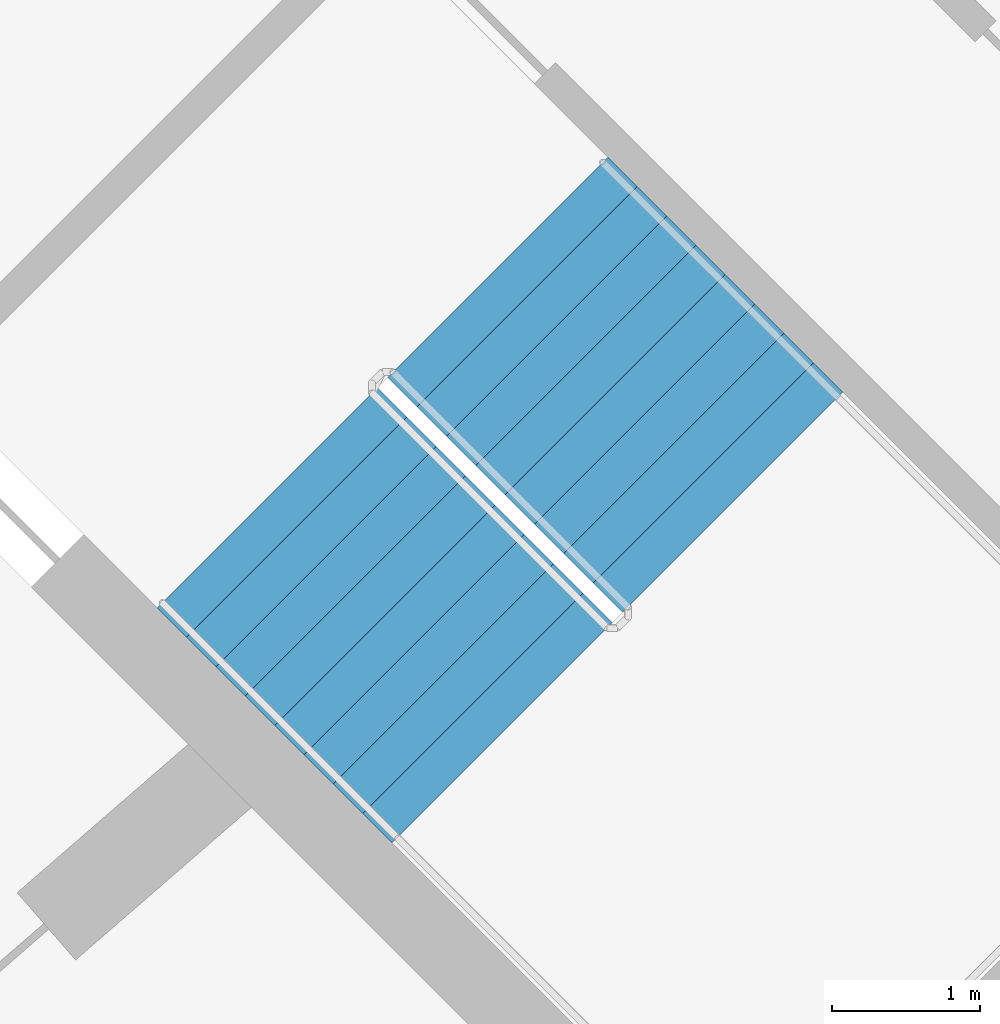
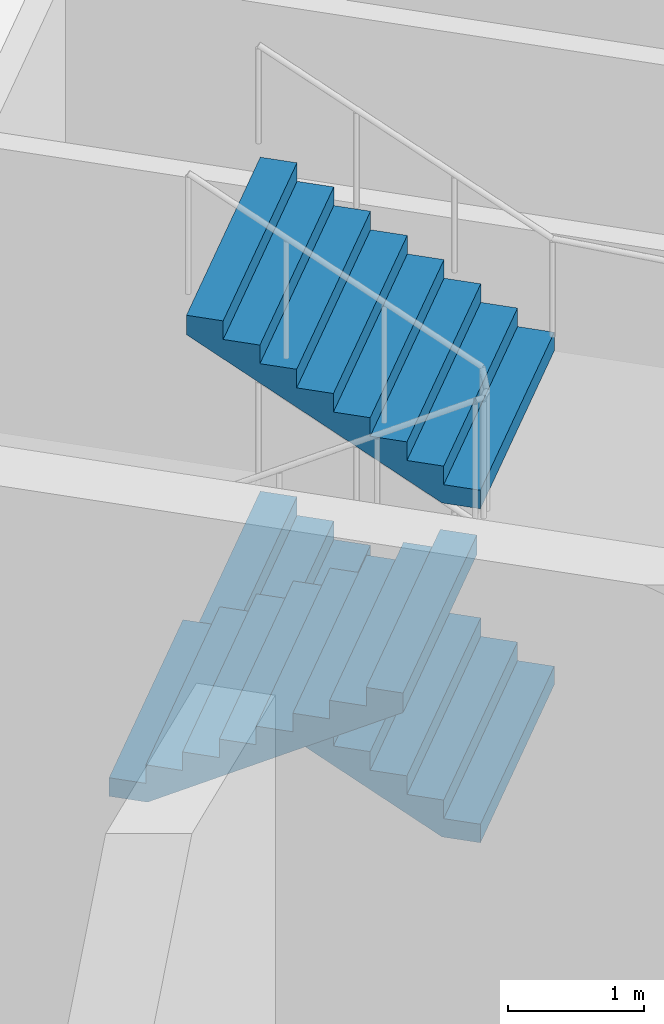
# One storey, part 11 of 16: 3 stair flights, 1 element without a shape of its own.
"""IFC4 building model written with IfcOpenShell, lengths in metres."""

from ifc_helpers import new_model, si_unit, direction, frame, origin, place, context, subcontext, project, spatial, triangles, material, type_object, element, aggregate, save


model = new_model("IFC4")

# Units and contexts
model_context = context("Model", 3, precision=1e-05, world=origin(), true_north=direction((0.0, 1.0)))
body_context = subcontext(model_context, "Body", "Model", "MODEL_VIEW")
ifc_project = project(units=[si_unit("LENGTHUNIT", "METRE"), si_unit("AREAUNIT", "SQUARE_METRE"), si_unit("VOLUMEUNIT", "CUBIC_METRE"), si_unit("PLANEANGLEUNIT", "RADIAN"), si_unit("MASSUNIT", "GRAM", prefix="KILO")], contexts=[model_context])

# Site, building, storey
site_placement = place(None, origin())
site = spatial("IfcSite", under=ifc_project, at=site_placement, CompositionType="ELEMENT")
building_placement = place(site_placement, origin())
building = spatial("IfcBuilding", under=site, at=building_placement, Name="Verdalira Terraces Hotel", CompositionType="ELEMENT")
storey_placement = place(building_placement, frame((0.0, 0.0, 263.0)))
storey = spatial("IfcBuildingStorey", under=building, at=storey_placement, Name="L65", CompositionType="ELEMENT", Elevation=263.0)

# Stair, stair flights
ifc_material_1 = material(Name="Concrete C40", Category="concrete")
stair_type = type_object("IfcStairType", Name="Core stair 36 risers 2100 mm wide", PredefinedType="HALF_TURN_STAIR", material=ifc_material_1)
stair_placement = place(storey_placement, origin())
stair = element("IfcStair", 1, at=stair_placement, inside=storey, type_object=stair_type, Name="L65 Exit stair ST2", PredefinedType="HALF_TURN_STAIR")
ifc_material_2 = material(Name="Concrete C40", Category="concrete")
stair_flight_type = type_object("IfcStairFlightType", Name="Core stair flight 36 risers 2100 mm wide", PredefinedType="STRAIGHT", material=ifc_material_2)
stair_flight_1_placement = place(storey_placement, frame((-6.936768, -7.559082, 1.5), z_axis=(0.0, 0.0, 1.0), x_axis=(-0.707106781, 0.707106781, 0.0)))
stair_flight_1 = element("IfcStairFlight", 2, at=stair_flight_1_placement, type_object=stair_flight_type, Name="ST2 flight 2", NumberOfRisers=9, NumberOfTreads=8, PredefinedType="STRAIGHT", RiserHeight=0.166666667, TreadLength=0.28, context=body_context, shape_type="Tessellation", body=[
    triangles([(0.0, 1.050049, 0.0), (0.292969, 1.050049, 0.0), (2.23999, 1.050049, 1.158936), (0.0, -1.050049, 0.0), (0.292969, -1.050049, 0.0), (2.23999, -1.050049, 1.158936), (2.23999, 1.050049, 1.333252), (1.959961, 1.050049, 1.333252), (2.23999, -1.050049, 1.333252), (1.959961, -1.050049, 1.333252), (1.959961, 1.050049, 1.166748), (1.959961, -1.050049, 1.166748), (1.679932, 1.050049, 1.166748), (1.679932, -1.050049, 1.166748), (1.679932, 1.050049, 1.0), (1.679932, -1.050049, 1.0), (1.399902, 1.050049, 1.0), (1.399902, 1.050049, 0.833252), (1.399902, -1.050049, 1.0), (1.399902, -1.050049, 0.833252), (1.120117, 1.050049, 0.833252), (1.120117, 1.050049, 0.666748), (1.120117, -1.050049, 0.833252), (1.120117, -1.050049, 0.666748), (0.840088, 1.050049, 0.666748), (0.840088, 1.050049, 0.5), (0.840088, -1.050049, 0.666748), (0.840088, -1.050049, 0.5), (0.560059, 1.050049, 0.5), (0.560059, 1.050049, 0.333252), (0.560059, -1.050049, 0.5), (0.560059, -1.050049, 0.333252), (0.280029, 1.050049, 0.333252), (0.280029, 1.050049, 0.166748), (0.280029, -1.050049, 0.333252), (0.280029, -1.050049, 0.166748), (0.0, 1.050049, 0.166748), (0.0, -1.050049, 0.166748), (0.0, -0.984421, 0.0), (0.0, -0.984421, 0.166748), (0.0, -0.918793, 0.0), (0.0, -0.918793, 0.166748), (0.0, -0.853165, 0.0), (0.0, -0.853165, 0.166748), (0.0, -0.787537, 0.0), (0.0, -0.787537, 0.166748), (0.0, -0.721909, 0.0), (0.0, -0.721909, 0.166748), (0.0, -0.656281, 0.0), (0.0, -0.656281, 0.166748), (0.0, -0.590652, 0.0), (0.0, -0.590652, 0.166748), (0.0, -0.525024, 0.0), (0.0, -0.525024, 0.166748), (0.0, -0.459396, 0.0), (0.0, -0.459396, 0.166748), (0.0, -0.393768, 0.0), (0.0, -0.393768, 0.166748), (0.0, -0.32814, 0.0), (0.0, -0.32814, 0.166748), (0.0, -0.262512, 0.0), (0.0, -0.262512, 0.166748), (0.0, -0.196884, 0.0), (0.0, -0.196884, 0.166748), (0.0, -0.131256, 0.0), (0.0, -0.131256, 0.166748), (0.0, -0.065628, 0.0), (0.0, -0.065628, 0.166748), (0.0, 0.0, 0.0), (0.0, 0.0, 0.166748), (0.0, 0.065628, 0.0), (0.0, 0.065628, 0.166748), (0.0, 0.131256, 0.0), (0.0, 0.131256, 0.166748), (0.0, 0.196884, 0.0), (0.0, 0.196884, 0.166748), (0.0, 0.262512, 0.0), (0.0, 0.262512, 0.166748), (0.0, 0.32814, 0.0), (0.0, 0.32814, 0.166748), (0.0, 0.393768, 0.0), (0.0, 0.393768, 0.166748), (0.0, 0.459396, 0.0), (0.0, 0.459396, 0.166748), (0.0, 0.525024, 0.0), (0.0, 0.525024, 0.166748), (0.0, 0.590652, 0.0), (0.0, 0.590652, 0.166748), (0.0, 0.656281, 0.0), (0.0, 0.656281, 0.166748), (0.0, 0.721909, 0.0), (0.0, 0.721909, 0.166748), (0.0, 0.787537, 0.0), (0.0, 0.787537, 0.166748), (0.0, 0.853165, 0.0), (0.0, 0.853165, 0.166748), (0.0, 0.918793, 0.0), (0.0, 0.918793, 0.166748), (0.0, 0.984421, 0.0), (0.0, 0.984421, 0.166748), (2.23999, -0.984421, 1.333252), (2.23999, -0.918793, 1.333252), (2.23999, -0.853165, 1.333252), (2.23999, -0.787537, 1.333252), (2.23999, -0.721909, 1.333252), (2.23999, -0.656281, 1.333252), (2.23999, -0.590652, 1.333252), (2.23999, -0.525024, 1.333252), (2.23999, -0.459396, 1.333252), (2.23999, -0.393768, 1.333252), (2.23999, -0.32814, 1.333252), (2.23999, -0.262512, 1.333252), (2.23999, -0.196884, 1.333252), (2.23999, -0.131256, 1.333252), (2.23999, -0.065628, 1.333252), (2.23999, 0.0, 1.333252), (2.23999, 0.065628, 1.333252), (2.23999, 0.131256, 1.333252), (2.23999, 0.196884, 1.333252), (2.23999, 0.262512, 1.333252), (2.23999, 0.32814, 1.333252), (2.23999, 0.393768, 1.333252), (2.23999, 0.459396, 1.333252), (2.23999, 0.525024, 1.333252), (2.23999, 0.590652, 1.333252), (2.23999, 0.656281, 1.333252), (2.23999, 0.721909, 1.333252), (2.23999, 0.787537, 1.333252), (2.23999, 0.853165, 1.333252), (2.23999, 0.918793, 1.333252), (2.23999, 0.984421, 1.333252), (2.23999, -0.984421, 1.158936), (2.23999, -0.918793, 1.158936), (2.23999, -0.853165, 1.158936), (2.23999, -0.787537, 1.158936), (2.23999, -0.721909, 1.158936), (2.23999, -0.656281, 1.158936), (2.23999, -0.590652, 1.158936), (2.23999, -0.525024, 1.158936), (2.23999, -0.459396, 1.158936), (2.23999, -0.393768, 1.158936), (2.23999, -0.32814, 1.158936), (2.23999, -0.262512, 1.158936), (2.23999, -0.196884, 1.158936), (2.23999, -0.131256, 1.158936), (2.23999, -0.065628, 1.158936), (2.23999, 0.0, 1.158936), (2.23999, 0.065628, 1.158936), (2.23999, 0.131256, 1.158936), (2.23999, 0.196884, 1.158936), (2.23999, 0.262512, 1.158936), (2.23999, 0.32814, 1.158936), (2.23999, 0.393768, 1.158936), (2.23999, 0.459396, 1.158936), (2.23999, 0.525024, 1.158936), (2.23999, 0.590652, 1.158936), (2.23999, 0.656281, 1.158936), (2.23999, 0.721909, 1.158936), (2.23999, 0.787537, 1.158936), (2.23999, 0.853165, 1.158936), (2.23999, 0.918793, 1.158936), (2.23999, 0.984421, 1.158936)], [[1, 3, 2], [4, 5, 6], [3, 8, 7], [6, 9, 10], [3, 11, 8], [6, 10, 12], [3, 13, 11], [6, 12, 14], [3, 15, 13], [6, 14, 16], [15, 18, 17], [16, 19, 20], [3, 18, 15], [6, 16, 20], [18, 22, 21], [20, 23, 24], [3, 22, 18], [6, 20, 24], [22, 26, 25], [24, 27, 28], [3, 26, 22], [6, 24, 28], [26, 30, 29], [28, 31, 32], [3, 30, 26], [6, 28, 32], [1, 30, 3], [4, 6, 32], [30, 34, 33], [32, 35, 36], [1, 34, 30], [4, 32, 36], [34, 1, 37], [36, 38, 4], [4, 40, 39], [4, 38, 40], [39, 42, 41], [39, 40, 42], [41, 44, 43], [41, 42, 44], [43, 46, 45], [43, 44, 46], [45, 48, 47], [45, 46, 48], [47, 50, 49], [47, 48, 50], [49, 52, 51], [49, 50, 52], [51, 54, 53], [51, 52, 54], [53, 56, 55], [53, 54, 56], [55, 58, 57], [55, 56, 58], [57, 60, 59], [57, 58, 60], [59, 62, 61], [59, 60, 62], [61, 64, 63], [61, 62, 64], [63, 66, 65], [63, 64, 66], [65, 68, 67], [65, 66, 68], [67, 70, 69], [67, 68, 70], [69, 72, 71], [69, 70, 72], [71, 74, 73], [71, 72, 74], [73, 76, 75], [73, 74, 76], [75, 78, 77], [75, 76, 78], [77, 80, 79], [77, 78, 80], [79, 82, 81], [79, 80, 82], [81, 84, 83], [81, 82, 84], [83, 86, 85], [83, 84, 86], [85, 88, 87], [85, 86, 88], [87, 90, 89], [87, 88, 90], [89, 92, 91], [89, 90, 92], [91, 94, 93], [91, 92, 94], [93, 96, 95], [93, 94, 96], [95, 98, 97], [95, 96, 98], [97, 100, 99], [97, 98, 100], [99, 37, 1], [99, 100, 37], [38, 36, 40], [40, 36, 42], [42, 36, 44], [44, 36, 46], [46, 36, 48], [48, 36, 50], [50, 36, 52], [52, 36, 54], [54, 36, 56], [56, 36, 58], [58, 36, 60], [60, 36, 62], [62, 36, 64], [64, 36, 66], [66, 36, 68], [68, 36, 70], [70, 36, 72], [72, 36, 74], [74, 36, 76], [76, 36, 78], [78, 36, 80], [80, 36, 82], [82, 36, 84], [84, 36, 86], [86, 36, 88], [88, 36, 90], [90, 36, 92], [92, 36, 94], [94, 36, 96], [96, 36, 98], [98, 36, 100], [100, 36, 37], [37, 36, 34], [36, 33, 34], [36, 35, 33], [35, 30, 33], [35, 32, 30], [32, 29, 30], [32, 31, 29], [31, 26, 29], [31, 28, 26], [28, 25, 26], [28, 27, 25], [27, 22, 25], [27, 24, 22], [24, 21, 22], [24, 23, 21], [23, 18, 21], [23, 20, 18], [20, 17, 18], [20, 19, 17], [19, 15, 17], [19, 16, 15], [16, 13, 15], [16, 14, 13], [14, 11, 13], [14, 12, 11], [12, 8, 11], [12, 10, 8], [9, 101, 10], [101, 102, 10], [102, 103, 10], [103, 104, 10], [104, 105, 10], [105, 106, 10], [106, 107, 10], [107, 108, 10], [108, 109, 10], [109, 110, 10], [110, 111, 10], [111, 112, 10], [112, 113, 10], [113, 114, 10], [114, 115, 10], [115, 116, 10], [116, 117, 10], [117, 118, 10], [118, 119, 10], [119, 120, 10], [120, 121, 10], [121, 122, 10], [122, 123, 10], [123, 124, 10], [124, 125, 10], [125, 126, 10], [126, 127, 10], [127, 128, 10], [128, 129, 10], [129, 130, 10], [130, 131, 10], [131, 7, 10], [7, 8, 10], [9, 132, 101], [9, 6, 132], [101, 133, 102], [101, 132, 133], [102, 134, 103], [102, 133, 134], [103, 135, 104], [103, 134, 135], [104, 136, 105], [104, 135, 136], [105, 137, 106], [105, 136, 137], [106, 138, 107], [106, 137, 138], [107, 139, 108], [107, 138, 139], [108, 140, 109], [108, 139, 140], [109, 141, 110], [109, 140, 141], [110, 142, 111], [110, 141, 142], [111, 143, 112], [111, 142, 143], [112, 144, 113], [112, 143, 144], [113, 145, 114], [113, 144, 145], [114, 146, 115], [114, 145, 146], [115, 147, 116], [115, 146, 147], [116, 148, 117], [116, 147, 148], [117, 149, 118], [117, 148, 149], [118, 150, 119], [118, 149, 150], [119, 151, 120], [119, 150, 151], [120, 152, 121], [120, 151, 152], [121, 153, 122], [121, 152, 153], [122, 154, 123], [122, 153, 154], [123, 155, 124], [123, 154, 155], [124, 156, 125], [124, 155, 156], [125, 157, 126], [125, 156, 157], [126, 158, 127], [126, 157, 158], [127, 159, 128], [127, 158, 159], [128, 160, 129], [128, 159, 160], [129, 161, 130], [129, 160, 161], [130, 162, 131], [130, 161, 162], [131, 3, 7], [131, 162, 3], [6, 5, 132], [132, 5, 133], [133, 5, 134], [134, 5, 135], [135, 5, 136], [136, 5, 137], [137, 5, 138], [138, 5, 139], [139, 5, 140], [140, 5, 141], [141, 5, 142], [142, 5, 143], [143, 5, 144], [144, 5, 145], [145, 5, 146], [146, 5, 147], [147, 5, 148], [148, 5, 149], [149, 5, 150], [150, 5, 151], [151, 5, 152], [152, 5, 153], [153, 5, 154], [154, 5, 155], [155, 5, 156], [156, 5, 157], [157, 5, 158], [158, 5, 159], [159, 5, 160], [160, 5, 161], [161, 5, 162], [162, 5, 3], [3, 5, 2], [4, 39, 5], [39, 41, 5], [41, 43, 5], [43, 45, 5], [45, 47, 5], [47, 49, 5], [49, 51, 5], [51, 53, 5], [53, 55, 5], [55, 57, 5], [57, 59, 5], [59, 61, 5], [61, 63, 5], [63, 65, 5], [65, 67, 5], [67, 69, 5], [69, 71, 5], [71, 73, 5], [73, 75, 5], [75, 77, 5], [77, 79, 5], [79, 81, 5], [81, 83, 5], [83, 85, 5], [85, 87, 5], [87, 89, 5], [89, 91, 5], [91, 93, 5], [93, 95, 5], [95, 97, 5], [97, 99, 5], [99, 1, 5], [1, 2, 5]], closed=True),
])
stair_flight_2_placement = place(storey_placement, frame((-10.076172, -7.530762, 3.0), z_axis=(0.0, 0.0, 1.0), x_axis=(0.707106781, -0.707106781, 0.0)))
stair_flight_2 = element("IfcStairFlight", 3, at=stair_flight_2_placement, type_object=stair_flight_type, Name="ST2 flight 3", NumberOfRisers=9, NumberOfTreads=8, PredefinedType="STRAIGHT", RiserHeight=0.166666667, TreadLength=0.28, context=body_context, shape_type="Tessellation", body=[
    triangles([(0.0, 1.050049, 0.0), (0.292969, 1.050049, 0.0), (2.23999, 1.050049, 1.158936), (0.0, -1.050049, 0.0), (0.292969, -1.050049, 0.0), (2.23999, -1.050049, 1.158936), (2.23999, 1.050049, 1.333252), (1.959961, 1.050049, 1.333252), (2.23999, -1.050049, 1.333252), (1.959961, -1.050049, 1.333252), (1.959961, 1.050049, 1.166748), (1.959961, -1.050049, 1.166748), (1.679932, 1.050049, 1.166748), (1.679932, -1.050049, 1.166748), (1.679932, 1.050049, 1.0), (1.679932, -1.050049, 1.0), (1.399902, 1.050049, 1.0), (1.399902, 1.050049, 0.833252), (1.399902, -1.050049, 1.0), (1.399902, -1.050049, 0.833252), (1.120117, 1.050049, 0.833252), (1.120117, 1.050049, 0.666748), (1.120117, -1.050049, 0.833252), (1.120117, -1.050049, 0.666748), (0.840088, 1.050049, 0.666748), (0.840088, 1.050049, 0.5), (0.840088, -1.050049, 0.666748), (0.840088, -1.050049, 0.5), (0.560059, 1.050049, 0.5), (0.560059, 1.050049, 0.333252), (0.560059, -1.050049, 0.5), (0.560059, -1.050049, 0.333252), (0.280029, 1.050049, 0.333252), (0.280029, 1.050049, 0.166748), (0.280029, -1.050049, 0.333252), (0.280029, -1.050049, 0.166748), (0.0, 1.050049, 0.166748), (0.0, -1.050049, 0.166748), (0.0, -0.984421, 0.0), (0.0, -0.984421, 0.166748), (0.0, -0.918793, 0.0), (0.0, -0.918793, 0.166748), (0.0, -0.853165, 0.0), (0.0, -0.853165, 0.166748), (0.0, -0.787537, 0.0), (0.0, -0.787537, 0.166748), (0.0, -0.721909, 0.0), (0.0, -0.721909, 0.166748), (0.0, -0.656281, 0.0), (0.0, -0.656281, 0.166748), (0.0, -0.590652, 0.0), (0.0, -0.590652, 0.166748), (0.0, -0.525024, 0.0), (0.0, -0.525024, 0.166748), (0.0, -0.459396, 0.0), (0.0, -0.459396, 0.166748), (0.0, -0.393768, 0.0), (0.0, -0.393768, 0.166748), (0.0, -0.32814, 0.0), (0.0, -0.32814, 0.166748), (0.0, -0.262512, 0.0), (0.0, -0.262512, 0.166748), (0.0, -0.196884, 0.0), (0.0, -0.196884, 0.166748), (0.0, -0.131256, 0.0), (0.0, -0.131256, 0.166748), (0.0, -0.065628, 0.0), (0.0, -0.065628, 0.166748), (0.0, 0.0, 0.0), (0.0, 0.0, 0.166748), (0.0, 0.065628, 0.0), (0.0, 0.065628, 0.166748), (0.0, 0.131256, 0.0), (0.0, 0.131256, 0.166748), (0.0, 0.196884, 0.0), (0.0, 0.196884, 0.166748), (0.0, 0.262512, 0.0), (0.0, 0.262512, 0.166748), (0.0, 0.32814, 0.0), (0.0, 0.32814, 0.166748), (0.0, 0.393768, 0.0), (0.0, 0.393768, 0.166748), (0.0, 0.459396, 0.0), (0.0, 0.459396, 0.166748), (0.0, 0.525024, 0.0), (0.0, 0.525024, 0.166748), (0.0, 0.590652, 0.0), (0.0, 0.590652, 0.166748), (0.0, 0.656281, 0.0), (0.0, 0.656281, 0.166748), (0.0, 0.721909, 0.0), (0.0, 0.721909, 0.166748), (0.0, 0.787537, 0.0), (0.0, 0.787537, 0.166748), (0.0, 0.853165, 0.0), (0.0, 0.853165, 0.166748), (0.0, 0.918793, 0.0), (0.0, 0.918793, 0.166748), (0.0, 0.984421, 0.0), (0.0, 0.984421, 0.166748), (2.23999, -0.984421, 1.333252), (2.23999, -0.918793, 1.333252), (2.23999, -0.853165, 1.333252), (2.23999, -0.787537, 1.333252), (2.23999, -0.721909, 1.333252), (2.23999, -0.656281, 1.333252), (2.23999, -0.590652, 1.333252), (2.23999, -0.525024, 1.333252), (2.23999, -0.459396, 1.333252), (2.23999, -0.393768, 1.333252), (2.23999, -0.32814, 1.333252), (2.23999, -0.262512, 1.333252), (2.23999, -0.196884, 1.333252), (2.23999, -0.131256, 1.333252), (2.23999, -0.065628, 1.333252), (2.23999, 0.0, 1.333252), (2.23999, 0.065628, 1.333252), (2.23999, 0.131256, 1.333252), (2.23999, 0.196884, 1.333252), (2.23999, 0.262512, 1.333252), (2.23999, 0.32814, 1.333252), (2.23999, 0.393768, 1.333252), (2.23999, 0.459396, 1.333252), (2.23999, 0.525024, 1.333252), (2.23999, 0.590652, 1.333252), (2.23999, 0.656281, 1.333252), (2.23999, 0.721909, 1.333252), (2.23999, 0.787537, 1.333252), (2.23999, 0.853165, 1.333252), (2.23999, 0.918793, 1.333252), (2.23999, 0.984421, 1.333252), (2.23999, -0.984421, 1.158936), (2.23999, -0.918793, 1.158936), (2.23999, -0.853165, 1.158936), (2.23999, -0.787537, 1.158936), (2.23999, -0.721909, 1.158936), (2.23999, -0.656281, 1.158936), (2.23999, -0.590652, 1.158936), (2.23999, -0.525024, 1.158936), (2.23999, -0.459396, 1.158936), (2.23999, -0.393768, 1.158936), (2.23999, -0.32814, 1.158936), (2.23999, -0.262512, 1.158936), (2.23999, -0.196884, 1.158936), (2.23999, -0.131256, 1.158936), (2.23999, -0.065628, 1.158936), (2.23999, 0.0, 1.158936), (2.23999, 0.065628, 1.158936), (2.23999, 0.131256, 1.158936), (2.23999, 0.196884, 1.158936), (2.23999, 0.262512, 1.158936), (2.23999, 0.32814, 1.158936), (2.23999, 0.393768, 1.158936), (2.23999, 0.459396, 1.158936), (2.23999, 0.525024, 1.158936), (2.23999, 0.590652, 1.158936), (2.23999, 0.656281, 1.158936), (2.23999, 0.721909, 1.158936), (2.23999, 0.787537, 1.158936), (2.23999, 0.853165, 1.158936), (2.23999, 0.918793, 1.158936), (2.23999, 0.984421, 1.158936)], [[1, 3, 2], [4, 5, 6], [3, 8, 7], [6, 9, 10], [3, 11, 8], [6, 10, 12], [3, 13, 11], [6, 12, 14], [3, 15, 13], [6, 14, 16], [15, 18, 17], [16, 19, 20], [3, 18, 15], [6, 16, 20], [18, 22, 21], [20, 23, 24], [3, 22, 18], [6, 20, 24], [22, 26, 25], [24, 27, 28], [3, 26, 22], [6, 24, 28], [26, 30, 29], [28, 31, 32], [3, 30, 26], [6, 28, 32], [1, 30, 3], [4, 6, 32], [30, 34, 33], [32, 35, 36], [1, 34, 30], [4, 32, 36], [34, 1, 37], [36, 38, 4], [4, 40, 39], [4, 38, 40], [39, 42, 41], [39, 40, 42], [41, 44, 43], [41, 42, 44], [43, 46, 45], [43, 44, 46], [45, 48, 47], [45, 46, 48], [47, 50, 49], [47, 48, 50], [49, 52, 51], [49, 50, 52], [51, 54, 53], [51, 52, 54], [53, 56, 55], [53, 54, 56], [55, 58, 57], [55, 56, 58], [57, 60, 59], [57, 58, 60], [59, 62, 61], [59, 60, 62], [61, 64, 63], [61, 62, 64], [63, 66, 65], [63, 64, 66], [65, 68, 67], [65, 66, 68], [67, 70, 69], [67, 68, 70], [69, 72, 71], [69, 70, 72], [71, 74, 73], [71, 72, 74], [73, 76, 75], [73, 74, 76], [75, 78, 77], [75, 76, 78], [77, 80, 79], [77, 78, 80], [79, 82, 81], [79, 80, 82], [81, 84, 83], [81, 82, 84], [83, 86, 85], [83, 84, 86], [85, 88, 87], [85, 86, 88], [87, 90, 89], [87, 88, 90], [89, 92, 91], [89, 90, 92], [91, 94, 93], [91, 92, 94], [93, 96, 95], [93, 94, 96], [95, 98, 97], [95, 96, 98], [97, 100, 99], [97, 98, 100], [99, 37, 1], [99, 100, 37], [38, 36, 40], [40, 36, 42], [42, 36, 44], [44, 36, 46], [46, 36, 48], [48, 36, 50], [50, 36, 52], [52, 36, 54], [54, 36, 56], [56, 36, 58], [58, 36, 60], [60, 36, 62], [62, 36, 64], [64, 36, 66], [66, 36, 68], [68, 36, 70], [70, 36, 72], [72, 36, 74], [74, 36, 76], [76, 36, 78], [78, 36, 80], [80, 36, 82], [82, 36, 84], [84, 36, 86], [86, 36, 88], [88, 36, 90], [90, 36, 92], [92, 36, 94], [94, 36, 96], [96, 36, 98], [98, 36, 100], [100, 36, 37], [37, 36, 34], [36, 33, 34], [36, 35, 33], [35, 30, 33], [35, 32, 30], [32, 29, 30], [32, 31, 29], [31, 26, 29], [31, 28, 26], [28, 25, 26], [28, 27, 25], [27, 22, 25], [27, 24, 22], [24, 21, 22], [24, 23, 21], [23, 18, 21], [23, 20, 18], [20, 17, 18], [20, 19, 17], [19, 15, 17], [19, 16, 15], [16, 13, 15], [16, 14, 13], [14, 11, 13], [14, 12, 11], [12, 8, 11], [12, 10, 8], [9, 101, 10], [101, 102, 10], [102, 103, 10], [103, 104, 10], [104, 105, 10], [105, 106, 10], [106, 107, 10], [107, 108, 10], [108, 109, 10], [109, 110, 10], [110, 111, 10], [111, 112, 10], [112, 113, 10], [113, 114, 10], [114, 115, 10], [115, 116, 10], [116, 117, 10], [117, 118, 10], [118, 119, 10], [119, 120, 10], [120, 121, 10], [121, 122, 10], [122, 123, 10], [123, 124, 10], [124, 125, 10], [125, 126, 10], [126, 127, 10], [127, 128, 10], [128, 129, 10], [129, 130, 10], [130, 131, 10], [131, 7, 10], [7, 8, 10], [9, 132, 101], [9, 6, 132], [101, 133, 102], [101, 132, 133], [102, 134, 103], [102, 133, 134], [103, 135, 104], [103, 134, 135], [104, 136, 105], [104, 135, 136], [105, 137, 106], [105, 136, 137], [106, 138, 107], [106, 137, 138], [107, 139, 108], [107, 138, 139], [108, 140, 109], [108, 139, 140], [109, 141, 110], [109, 140, 141], [110, 142, 111], [110, 141, 142], [111, 143, 112], [111, 142, 143], [112, 144, 113], [112, 143, 144], [113, 145, 114], [113, 144, 145], [114, 146, 115], [114, 145, 146], [115, 147, 116], [115, 146, 147], [116, 148, 117], [116, 147, 148], [117, 149, 118], [117, 148, 149], [118, 150, 119], [118, 149, 150], [119, 151, 120], [119, 150, 151], [120, 152, 121], [120, 151, 152], [121, 153, 122], [121, 152, 153], [122, 154, 123], [122, 153, 154], [123, 155, 124], [123, 154, 155], [124, 156, 125], [124, 155, 156], [125, 157, 126], [125, 156, 157], [126, 158, 127], [126, 157, 158], [127, 159, 128], [127, 158, 159], [128, 160, 129], [128, 159, 160], [129, 161, 130], [129, 160, 161], [130, 162, 131], [130, 161, 162], [131, 3, 7], [131, 162, 3], [6, 5, 132], [132, 5, 133], [133, 5, 134], [134, 5, 135], [135, 5, 136], [136, 5, 137], [137, 5, 138], [138, 5, 139], [139, 5, 140], [140, 5, 141], [141, 5, 142], [142, 5, 143], [143, 5, 144], [144, 5, 145], [145, 5, 146], [146, 5, 147], [147, 5, 148], [148, 5, 149], [149, 5, 150], [150, 5, 151], [151, 5, 152], [152, 5, 153], [153, 5, 154], [154, 5, 155], [155, 5, 156], [156, 5, 157], [157, 5, 158], [158, 5, 159], [159, 5, 160], [160, 5, 161], [161, 5, 162], [162, 5, 3], [3, 5, 2], [4, 39, 5], [39, 41, 5], [41, 43, 5], [43, 45, 5], [45, 47, 5], [47, 49, 5], [49, 51, 5], [51, 53, 5], [53, 55, 5], [55, 57, 5], [57, 59, 5], [59, 61, 5], [61, 63, 5], [63, 65, 5], [65, 67, 5], [67, 69, 5], [69, 71, 5], [71, 73, 5], [73, 75, 5], [75, 77, 5], [77, 79, 5], [79, 81, 5], [81, 83, 5], [83, 85, 5], [85, 87, 5], [87, 89, 5], [89, 91, 5], [91, 93, 5], [93, 95, 5], [95, 97, 5], [97, 99, 5], [99, 1, 5], [1, 2, 5]], closed=True),
])
stair_flight_3_placement = place(storey_placement, frame((-6.936768, -7.559082, 4.5), z_axis=(0.0, 0.0, 1.0), x_axis=(-0.707106781, 0.707106781, 0.0)))
stair_flight_3 = element("IfcStairFlight", 4, at=stair_flight_3_placement, type_object=stair_flight_type, Name="ST2 flight 4", NumberOfRisers=9, NumberOfTreads=8, PredefinedType="STRAIGHT", RiserHeight=0.166666667, TreadLength=0.28, context=body_context, shape_type="Tessellation", body=[
    triangles([(0.0, 1.050049, 0.0), (0.292969, 1.050049, 0.0), (2.23999, 1.050049, 1.158936), (0.0, -1.050049, 0.0), (0.292969, -1.050049, 0.0), (2.23999, -1.050049, 1.158936), (2.23999, 1.050049, 1.333252), (1.959961, 1.050049, 1.333252), (2.23999, -1.050049, 1.333252), (1.959961, -1.050049, 1.333252), (1.959961, 1.050049, 1.166748), (1.959961, -1.050049, 1.166748), (1.679932, 1.050049, 1.166748), (1.679932, -1.050049, 1.166748), (1.679932, 1.050049, 1.0), (1.679932, -1.050049, 1.0), (1.399902, 1.050049, 1.0), (1.399902, 1.050049, 0.833252), (1.399902, -1.050049, 1.0), (1.399902, -1.050049, 0.833252), (1.120117, 1.050049, 0.833252), (1.120117, 1.050049, 0.666748), (1.120117, -1.050049, 0.833252), (1.120117, -1.050049, 0.666748), (0.840088, 1.050049, 0.666748), (0.840088, 1.050049, 0.5), (0.840088, -1.050049, 0.666748), (0.840088, -1.050049, 0.5), (0.560059, 1.050049, 0.5), (0.560059, 1.050049, 0.333252), (0.560059, -1.050049, 0.5), (0.560059, -1.050049, 0.333252), (0.280029, 1.050049, 0.333252), (0.280029, 1.050049, 0.166748), (0.280029, -1.050049, 0.333252), (0.280029, -1.050049, 0.166748), (0.0, 1.050049, 0.166748), (0.0, -1.050049, 0.166748), (0.0, -0.984421, 0.0), (0.0, -0.984421, 0.166748), (0.0, -0.918793, 0.0), (0.0, -0.918793, 0.166748), (0.0, -0.853165, 0.0), (0.0, -0.853165, 0.166748), (0.0, -0.787537, 0.0), (0.0, -0.787537, 0.166748), (0.0, -0.721909, 0.0), (0.0, -0.721909, 0.166748), (0.0, -0.656281, 0.0), (0.0, -0.656281, 0.166748), (0.0, -0.590652, 0.0), (0.0, -0.590652, 0.166748), (0.0, -0.525024, 0.0), (0.0, -0.525024, 0.166748), (0.0, -0.459396, 0.0), (0.0, -0.459396, 0.166748), (0.0, -0.393768, 0.0), (0.0, -0.393768, 0.166748), (0.0, -0.32814, 0.0), (0.0, -0.32814, 0.166748), (0.0, -0.262512, 0.0), (0.0, -0.262512, 0.166748), (0.0, -0.196884, 0.0), (0.0, -0.196884, 0.166748), (0.0, -0.131256, 0.0), (0.0, -0.131256, 0.166748), (0.0, -0.065628, 0.0), (0.0, -0.065628, 0.166748), (0.0, 0.0, 0.0), (0.0, 0.0, 0.166748), (0.0, 0.065628, 0.0), (0.0, 0.065628, 0.166748), (0.0, 0.131256, 0.0), (0.0, 0.131256, 0.166748), (0.0, 0.196884, 0.0), (0.0, 0.196884, 0.166748), (0.0, 0.262512, 0.0), (0.0, 0.262512, 0.166748), (0.0, 0.32814, 0.0), (0.0, 0.32814, 0.166748), (0.0, 0.393768, 0.0), (0.0, 0.393768, 0.166748), (0.0, 0.459396, 0.0), (0.0, 0.459396, 0.166748), (0.0, 0.525024, 0.0), (0.0, 0.525024, 0.166748), (0.0, 0.590652, 0.0), (0.0, 0.590652, 0.166748), (0.0, 0.656281, 0.0), (0.0, 0.656281, 0.166748), (0.0, 0.721909, 0.0), (0.0, 0.721909, 0.166748), (0.0, 0.787537, 0.0), (0.0, 0.787537, 0.166748), (0.0, 0.853165, 0.0), (0.0, 0.853165, 0.166748), (0.0, 0.918793, 0.0), (0.0, 0.918793, 0.166748), (0.0, 0.984421, 0.0), (0.0, 0.984421, 0.166748), (2.23999, -0.984421, 1.333252), (2.23999, -0.918793, 1.333252), (2.23999, -0.853165, 1.333252), (2.23999, -0.787537, 1.333252), (2.23999, -0.721909, 1.333252), (2.23999, -0.656281, 1.333252), (2.23999, -0.590652, 1.333252), (2.23999, -0.525024, 1.333252), (2.23999, -0.459396, 1.333252), (2.23999, -0.393768, 1.333252), (2.23999, -0.32814, 1.333252), (2.23999, -0.262512, 1.333252), (2.23999, -0.196884, 1.333252), (2.23999, -0.131256, 1.333252), (2.23999, -0.065628, 1.333252), (2.23999, 0.0, 1.333252), (2.23999, 0.065628, 1.333252), (2.23999, 0.131256, 1.333252), (2.23999, 0.196884, 1.333252), (2.23999, 0.262512, 1.333252), (2.23999, 0.32814, 1.333252), (2.23999, 0.393768, 1.333252), (2.23999, 0.459396, 1.333252), (2.23999, 0.525024, 1.333252), (2.23999, 0.590652, 1.333252), (2.23999, 0.656281, 1.333252), (2.23999, 0.721909, 1.333252), (2.23999, 0.787537, 1.333252), (2.23999, 0.853165, 1.333252), (2.23999, 0.918793, 1.333252), (2.23999, 0.984421, 1.333252), (2.23999, -0.984421, 1.158936), (2.23999, -0.918793, 1.158936), (2.23999, -0.853165, 1.158936), (2.23999, -0.787537, 1.158936), (2.23999, -0.721909, 1.158936), (2.23999, -0.656281, 1.158936), (2.23999, -0.590652, 1.158936), (2.23999, -0.525024, 1.158936), (2.23999, -0.459396, 1.158936), (2.23999, -0.393768, 1.158936), (2.23999, -0.32814, 1.158936), (2.23999, -0.262512, 1.158936), (2.23999, -0.196884, 1.158936), (2.23999, -0.131256, 1.158936), (2.23999, -0.065628, 1.158936), (2.23999, 0.0, 1.158936), (2.23999, 0.065628, 1.158936), (2.23999, 0.131256, 1.158936), (2.23999, 0.196884, 1.158936), (2.23999, 0.262512, 1.158936), (2.23999, 0.32814, 1.158936), (2.23999, 0.393768, 1.158936), (2.23999, 0.459396, 1.158936), (2.23999, 0.525024, 1.158936), (2.23999, 0.590652, 1.158936), (2.23999, 0.656281, 1.158936), (2.23999, 0.721909, 1.158936), (2.23999, 0.787537, 1.158936), (2.23999, 0.853165, 1.158936), (2.23999, 0.918793, 1.158936), (2.23999, 0.984421, 1.158936)], [[1, 3, 2], [4, 5, 6], [3, 8, 7], [6, 9, 10], [3, 11, 8], [6, 10, 12], [3, 13, 11], [6, 12, 14], [3, 15, 13], [6, 14, 16], [15, 18, 17], [16, 19, 20], [3, 18, 15], [6, 16, 20], [18, 22, 21], [20, 23, 24], [3, 22, 18], [6, 20, 24], [22, 26, 25], [24, 27, 28], [3, 26, 22], [6, 24, 28], [26, 30, 29], [28, 31, 32], [3, 30, 26], [6, 28, 32], [1, 30, 3], [4, 6, 32], [30, 34, 33], [32, 35, 36], [1, 34, 30], [4, 32, 36], [34, 1, 37], [36, 38, 4], [4, 40, 39], [4, 38, 40], [39, 42, 41], [39, 40, 42], [41, 44, 43], [41, 42, 44], [43, 46, 45], [43, 44, 46], [45, 48, 47], [45, 46, 48], [47, 50, 49], [47, 48, 50], [49, 52, 51], [49, 50, 52], [51, 54, 53], [51, 52, 54], [53, 56, 55], [53, 54, 56], [55, 58, 57], [55, 56, 58], [57, 60, 59], [57, 58, 60], [59, 62, 61], [59, 60, 62], [61, 64, 63], [61, 62, 64], [63, 66, 65], [63, 64, 66], [65, 68, 67], [65, 66, 68], [67, 70, 69], [67, 68, 70], [69, 72, 71], [69, 70, 72], [71, 74, 73], [71, 72, 74], [73, 76, 75], [73, 74, 76], [75, 78, 77], [75, 76, 78], [77, 80, 79], [77, 78, 80], [79, 82, 81], [79, 80, 82], [81, 84, 83], [81, 82, 84], [83, 86, 85], [83, 84, 86], [85, 88, 87], [85, 86, 88], [87, 90, 89], [87, 88, 90], [89, 92, 91], [89, 90, 92], [91, 94, 93], [91, 92, 94], [93, 96, 95], [93, 94, 96], [95, 98, 97], [95, 96, 98], [97, 100, 99], [97, 98, 100], [99, 37, 1], [99, 100, 37], [38, 36, 40], [40, 36, 42], [42, 36, 44], [44, 36, 46], [46, 36, 48], [48, 36, 50], [50, 36, 52], [52, 36, 54], [54, 36, 56], [56, 36, 58], [58, 36, 60], [60, 36, 62], [62, 36, 64], [64, 36, 66], [66, 36, 68], [68, 36, 70], [70, 36, 72], [72, 36, 74], [74, 36, 76], [76, 36, 78], [78, 36, 80], [80, 36, 82], [82, 36, 84], [84, 36, 86], [86, 36, 88], [88, 36, 90], [90, 36, 92], [92, 36, 94], [94, 36, 96], [96, 36, 98], [98, 36, 100], [100, 36, 37], [37, 36, 34], [36, 33, 34], [36, 35, 33], [35, 30, 33], [35, 32, 30], [32, 29, 30], [32, 31, 29], [31, 26, 29], [31, 28, 26], [28, 25, 26], [28, 27, 25], [27, 22, 25], [27, 24, 22], [24, 21, 22], [24, 23, 21], [23, 18, 21], [23, 20, 18], [20, 17, 18], [20, 19, 17], [19, 15, 17], [19, 16, 15], [16, 13, 15], [16, 14, 13], [14, 11, 13], [14, 12, 11], [12, 8, 11], [12, 10, 8], [9, 101, 10], [101, 102, 10], [102, 103, 10], [103, 104, 10], [104, 105, 10], [105, 106, 10], [106, 107, 10], [107, 108, 10], [108, 109, 10], [109, 110, 10], [110, 111, 10], [111, 112, 10], [112, 113, 10], [113, 114, 10], [114, 115, 10], [115, 116, 10], [116, 117, 10], [117, 118, 10], [118, 119, 10], [119, 120, 10], [120, 121, 10], [121, 122, 10], [122, 123, 10], [123, 124, 10], [124, 125, 10], [125, 126, 10], [126, 127, 10], [127, 128, 10], [128, 129, 10], [129, 130, 10], [130, 131, 10], [131, 7, 10], [7, 8, 10], [9, 132, 101], [9, 6, 132], [101, 133, 102], [101, 132, 133], [102, 134, 103], [102, 133, 134], [103, 135, 104], [103, 134, 135], [104, 136, 105], [104, 135, 136], [105, 137, 106], [105, 136, 137], [106, 138, 107], [106, 137, 138], [107, 139, 108], [107, 138, 139], [108, 140, 109], [108, 139, 140], [109, 141, 110], [109, 140, 141], [110, 142, 111], [110, 141, 142], [111, 143, 112], [111, 142, 143], [112, 144, 113], [112, 143, 144], [113, 145, 114], [113, 144, 145], [114, 146, 115], [114, 145, 146], [115, 147, 116], [115, 146, 147], [116, 148, 117], [116, 147, 148], [117, 149, 118], [117, 148, 149], [118, 150, 119], [118, 149, 150], [119, 151, 120], [119, 150, 151], [120, 152, 121], [120, 151, 152], [121, 153, 122], [121, 152, 153], [122, 154, 123], [122, 153, 154], [123, 155, 124], [123, 154, 155], [124, 156, 125], [124, 155, 156], [125, 157, 126], [125, 156, 157], [126, 158, 127], [126, 157, 158], [127, 159, 128], [127, 158, 159], [128, 160, 129], [128, 159, 160], [129, 161, 130], [129, 160, 161], [130, 162, 131], [130, 161, 162], [131, 3, 7], [131, 162, 3], [6, 5, 132], [132, 5, 133], [133, 5, 134], [134, 5, 135], [135, 5, 136], [136, 5, 137], [137, 5, 138], [138, 5, 139], [139, 5, 140], [140, 5, 141], [141, 5, 142], [142, 5, 143], [143, 5, 144], [144, 5, 145], [145, 5, 146], [146, 5, 147], [147, 5, 148], [148, 5, 149], [149, 5, 150], [150, 5, 151], [151, 5, 152], [152, 5, 153], [153, 5, 154], [154, 5, 155], [155, 5, 156], [156, 5, 157], [157, 5, 158], [158, 5, 159], [159, 5, 160], [160, 5, 161], [161, 5, 162], [162, 5, 3], [3, 5, 2], [4, 39, 5], [39, 41, 5], [41, 43, 5], [43, 45, 5], [45, 47, 5], [47, 49, 5], [49, 51, 5], [51, 53, 5], [53, 55, 5], [55, 57, 5], [57, 59, 5], [59, 61, 5], [61, 63, 5], [63, 65, 5], [65, 67, 5], [67, 69, 5], [69, 71, 5], [71, 73, 5], [73, 75, 5], [75, 77, 5], [77, 79, 5], [79, 81, 5], [81, 83, 5], [83, 85, 5], [85, 87, 5], [87, 89, 5], [89, 91, 5], [91, 93, 5], [93, 95, 5], [95, 97, 5], [97, 99, 5], [99, 1, 5], [1, 2, 5]], closed=True),
])
aggregate(stair, [stair_flight_1, stair_flight_2, stair_flight_3])

save(model, "model.ifc")
